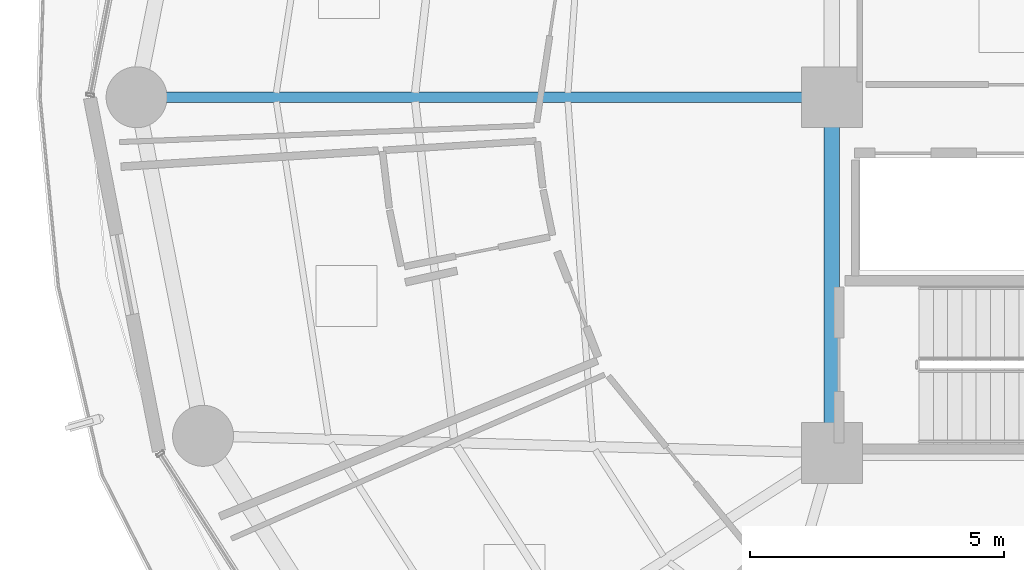
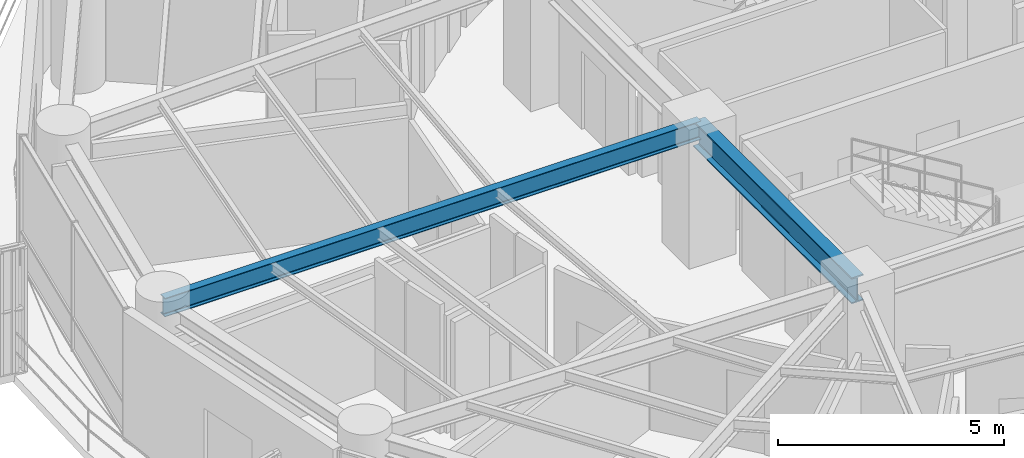
# One storey, part 7 of 27: 2 beams.
"""IFC4 building model written with IfcOpenShell, lengths in metres."""

import ifcopenshell
import ifcopenshell.guid

model = None  # the IFC model being written
_history = None  # IfcOwnerHistory: only IFC2X3 demands one
_inside = {}  # id of a spatial element -> (the spatial element, [elements in it])
_under = {}  # id of a project, library or spatial element -> (it, [spatial elements below it])
_declared = {}  # id of a project -> (the project, [libraries it declares])
_typed = {}  # id of a type object -> (the type object, [elements of that type])
_made_of = {}  # id of a material, layer set ... -> (it, [elements and type objects made of it])


def new_model(schema):
    """Start an empty IFC model of exactly this schema.

    Asked for "IFC4X3", IfcOpenShell would pick the latest addendum, in which some entities
    have other attributes; the version numbers below select the first issue.
    IFC2X3 requires an IfcOwnerHistory on every rooted entity: one is made here for all.
    """
    global model, _history
    if schema == "IFC4X3":
        model = ifcopenshell.file(schema_version=(4, 3, 0, 0))
    else:
        model = ifcopenshell.file(schema=schema)
    _inside.clear()
    _under.clear()
    _declared.clear()
    _typed.clear()
    _made_of.clear()
    _history = None
    if model.schema == "IFC2X3":
        org = make("IfcOrganization", Name="unknown")
        user = make(
            "IfcPersonAndOrganization",
            ThePerson=make("IfcPerson", FamilyName="unknown"),
            TheOrganization=org,
        )
        app = make(
            "IfcApplication",
            ApplicationDeveloper=org,
            Version="unknown",
            ApplicationFullName="unknown",
            ApplicationIdentifier="unknown",
        )
        _history = make(
            "IfcOwnerHistory",
            OwningUser=user,
            OwningApplication=app,
            ChangeAction="ADDED",
            CreationDate=0,
        )
    return model


def make(cls, **values):
    """One entity of the class cls with the attributes given. An attribute that is None is left unset."""
    return model.create_entity(
        cls, **{name: value for name, value in values.items() if value is not None}
    )


def rooted(cls, **values):
    """An entity with a GlobalId (a new one), such as an element, a storey or a relation."""
    return make(cls, GlobalId=ifcopenshell.guid.new(), OwnerHistory=_history, **values)


def si_unit(unit_type, name, prefix=None):
    """IfcSIUnit, for example si_unit("LENGTHUNIT", "METRE", prefix="MILLI")."""
    return make("IfcSIUnit", UnitType=unit_type, Prefix=prefix, Name=name)


def assignment(units):
    """IfcUnitAssignment: the units of a project."""
    return None if units is None else make("IfcUnitAssignment", Units=units)


def point(xyz):
    """IfcCartesianPoint."""
    return None if xyz is None else make("IfcCartesianPoint", Coordinates=xyz)


def direction(xyz):
    """IfcDirection."""
    return None if xyz is None else make("IfcDirection", DirectionRatios=xyz)


def frame(location, z_axis=None, x_axis=None):
    """IfcAxis2Placement3D, a coordinate frame: its origin and axes. An axis left out is left unset."""
    return make(
        "IfcAxis2Placement3D",
        Location=point(location),
        Axis=direction(z_axis),
        RefDirection=direction(x_axis),
    )


def frame_2d(location, x_axis=None):
    """IfcAxis2Placement2D, a coordinate frame in the plane: its origin and x axis."""
    return make(
        "IfcAxis2Placement2D", Location=point(location), RefDirection=direction(x_axis)
    )


def origin():
    """The frame at (0, 0, 0) with its axes left unset."""
    return frame((0.0, 0.0, 0.0))


def origin_2d():
    """The frame at (0, 0) in the plane with its x axis left unset."""
    return frame_2d((0.0, 0.0))


def place(relative_to, where):
    """IfcLocalPlacement: puts the frame where relative to a parent placement (None: the world)."""
    return make(
        "IfcLocalPlacement", PlacementRelTo=relative_to, RelativePlacement=where
    )


def context(
    kind, dimensions, precision=None, world=None, true_north=None, identifier=None
):
    """IfcGeometricRepresentationContext, for example the 3D "Model" context."""
    return make(
        "IfcGeometricRepresentationContext",
        ContextIdentifier=identifier,
        ContextType=kind,
        CoordinateSpaceDimension=dimensions,
        Precision=precision,
        WorldCoordinateSystem=world,
        TrueNorth=true_north,
    )


def subcontext(parent, identifier, kind, view, scale=None):
    """IfcGeometricRepresentationSubContext, for example "Body" below "Model"."""
    return make(
        "IfcGeometricRepresentationSubContext",
        ContextIdentifier=identifier,
        ContextType=kind,
        ParentContext=parent,
        TargetScale=scale,
        TargetView=view,
    )


def project(units=None, contexts=None):
    """IfcProject with its units and contexts."""
    return rooted(
        "IfcProject",
        Name="project",
        RepresentationContexts=contexts,
        UnitsInContext=assignment(units),
    )


def spatial(cls, under=None, at=None, **own):
    """A site, building, storey or space (cls), placed at a placement, below another one or the project."""
    s = rooted(cls, ObjectPlacement=at, **own)
    if under is not None:
        _under.setdefault(under.id(), (under, []))[1].append(s)
    return s


def profile(cls, at=None, kind="AREA", **sizes):
    """A parametric profile (cls). Its sizes go by their IFC names, for example OverallWidth=200.0."""
    return make(cls, ProfileType=kind, Position=at, **sizes)


def i_section(**sizes):
    """IfcIShapeProfileDef."""
    return profile("IfcIShapeProfileDef", **sizes)


def extrude(swept, where, along, depth):
    """IfcExtrudedAreaSolid: the profile swept, set in the frame where, extruded along a direction by depth."""
    return make(
        "IfcExtrudedAreaSolid",
        SweptArea=swept,
        Position=where,
        ExtrudedDirection=direction(along),
        Depth=depth,
    )


def shape(context_of_items, identifier, shape_type, items):
    """IfcShapeRepresentation: the items that make up one representation, for example the "Body"."""
    return make(
        "IfcShapeRepresentation",
        ContextOfItems=context_of_items,
        RepresentationIdentifier=identifier,
        RepresentationType=shape_type,
        Items=items,
    )


def material(Name=None, Category=None):
    """IfcMaterial."""
    return make("IfcMaterial", Name=Name, Category=Category)


def material_profile(
    of_material, cross_section, Name=None, Category=None, Priority=None
):
    """IfcMaterialProfile: a cross section and its material."""
    return make(
        "IfcMaterialProfile",
        Name=Name,
        Material=of_material,
        Profile=cross_section,
        Priority=Priority,
        Category=Category,
    )


def profile_set(profiles, Name=None, composite=None):
    """IfcMaterialProfileSet."""
    return make(
        "IfcMaterialProfileSet",
        Name=Name,
        MaterialProfiles=profiles,
        CompositeProfile=composite,
    )


def made_of(thing, what):
    """Note that an element or type object is made of a material, layer set ...; save() writes the relation."""
    if what is not None:
        _made_of.setdefault(what.id(), (what, []))[1].append(thing)
    return thing


def type_object(cls, material=None, **own):
    """A type object (cls), such as IfcWallType, which elements share."""
    return made_of(rooted(cls, **own), material)


def element(
    cls,
    number,
    at=None,
    inside=None,
    cuts=None,
    type_object=None,
    material=None,
    context=None,
    identifier="Body",
    shape_type=None,
    held_by="IfcProductDefinitionShape",
    body=None,
    shapes=None,
    **own,
):
    """One element of the class cls, such as IfcWall. Its Tag is "e" and its number.

    at: its placement. inside: the storey or other place that contains it. cuts: it is an
    opening in that element (IfcRelVoidsElement). A single representation is given by context,
    identifier, shape_type and body (its items); several are given by shapes. held_by: the class
    of the entity that holds the representations. save() writes the other relations.
    """
    e = rooted(cls, Tag="e%d" % number, ObjectPlacement=at, **own)
    if body is not None:
        shapes = [shape(context, identifier, shape_type, body)]
    if shapes is not None:
        e.Representation = make(held_by, Representations=shapes)
    if inside is not None:
        _inside.setdefault(inside.id(), (inside, []))[1].append(e)
    if cuts is not None:
        rooted(
            "IfcRelVoidsElement", RelatingBuildingElement=cuts, RelatedOpeningElement=e
        )
    if type_object is not None:
        _typed.setdefault(type_object.id(), (type_object, []))[1].append(e)
    return made_of(e, material)


def aggregate(whole, parts):
    """IfcRelAggregates: a whole, such as a stair, and the parts it consists of."""
    return rooted("IfcRelAggregates", RelatingObject=whole, RelatedObjects=parts)


def save(model, path):
    """Write the relations noted so far, then the file.

    IfcRelAggregates (storeys below a building ...), IfcRelContainedInSpatialStructure (elements
    in a storey), IfcRelDefinesByType, IfcRelAssociatesMaterial and IfcRelDeclares: one each for
    every whole, place, type object, material and project.
    """
    for whole, parts in _under.values():
        aggregate(whole, parts)
    for where, things in _inside.values():
        rooted(
            "IfcRelContainedInSpatialStructure",
            RelatedElements=things,
            RelatingStructure=where,
        )
    for kind, things in _typed.values():
        rooted("IfcRelDefinesByType", RelatedObjects=things, RelatingType=kind)
    for what, things in _made_of.values():
        rooted("IfcRelAssociatesMaterial", RelatedObjects=things, RelatingMaterial=what)
    for by, libraries in _declared.values():
        rooted("IfcRelDeclares", RelatingContext=by, RelatedDefinitions=libraries)
    model.write(path)


model = new_model("IFC4")

# Units and contexts
model_context = context("Model", 3, precision=1e-05, world=origin(), true_north=direction((0.0, 1.0)))
body_context = subcontext(model_context, "Body", "Model", "MODEL_VIEW")
ifc_project = project(units=[si_unit("LENGTHUNIT", "METRE"), si_unit("AREAUNIT", "SQUARE_METRE"), si_unit("VOLUMEUNIT", "CUBIC_METRE"), si_unit("PLANEANGLEUNIT", "RADIAN"), si_unit("MASSUNIT", "GRAM", prefix="KILO")], contexts=[model_context])

# Site, building, storey
site_placement = place(None, origin())
site = spatial("IfcSite", under=ifc_project, at=site_placement, CompositionType="ELEMENT")
building_placement = place(site_placement, origin())
building = spatial("IfcBuilding", under=site, at=building_placement, Name="Kelanora Arch Commons", CompositionType="ELEMENT")
storey_placement = place(building_placement, frame((0.0, 0.0, 154.35009765625)))
storey = spatial("IfcBuildingStorey", under=building, at=storey_placement, Name="L39", CompositionType="ELEMENT", Elevation=154.35009765625)

# Beams
ifc_material = material(Name="Steel S355", Category="steel")
ifc_material_profile_1 = material_profile(ifc_material, i_section(OverallWidth=0.300048828125, OverallDepth=0.699951171875, WebThickness=0.01708984375, FlangeThickness=0.031982421875, FilletRadius=0.027099609375, at=origin_2d()), Name="HEB700")
ifc_profile_set_1 = profile_set([ifc_material_profile_1], Name="Steel S355")
beam_type_1 = type_object("IfcBeamType", Name="BM-CORE-HDR", PredefinedType="BEAM", material=ifc_profile_set_1)
beam_1_placement = place(storey_placement, frame((66.0, 58.0, 3.139892578125), z_axis=(0.0, -1.0, 0.0), x_axis=(1.0, 0.0, 0.0)))
element("IfcBeam", 1, at=beam_1_placement, inside=storey, type_object=beam_type_1, Name="Core Header Beam 09 L39", PredefinedType="BEAM", context=body_context, shape_type="SweptSolid", body=[
    extrude(i_section(OverallWidth=0.300048828125, OverallDepth=0.699951171875, WebThickness=0.01708984375, FlangeThickness=0.031982421875, FilletRadius=0.027099609375, at=origin_2d()), origin(), (0.0, 0.0, 1.0), 7.0),
])
ifc_material_profile_2 = material_profile(ifc_material, i_section(OverallWidth=0.199951171875, OverallDepth=0.5, WebThickness=0.01025390625, FlangeThickness=0.01611328125, FilletRadius=0.02099609375, at=origin_2d()), Name="IPE500")
ifc_profile_set_2 = profile_set([ifc_material_profile_2], Name="Steel S355")
beam_type_2 = type_object("IfcBeamType", Name="BM-RAD-Z3", PredefinedType="BEAM", material=ifc_profile_set_2)
beam_2_placement = place(storey_placement, frame((66.0, 58.0, 3.239990234375), z_axis=(-1.0, 0.0, 0.0), x_axis=(0.0, -1.0, 0.0)))
element("IfcBeam", 2, at=beam_2_placement, inside=storey, type_object=beam_type_2, Name="Radial Floor Girder BR-18 L39", PredefinedType="BEAM", context=body_context, shape_type="SweptSolid", body=[
    extrude(i_section(OverallWidth=0.199951171875, OverallDepth=0.5, WebThickness=0.01025390625, FlangeThickness=0.01611328125, FilletRadius=0.02099609375, at=origin_2d()), origin(), (0.0, 0.0, 1.0), 13.679931640625),
])

save(model, "model.ifc")
